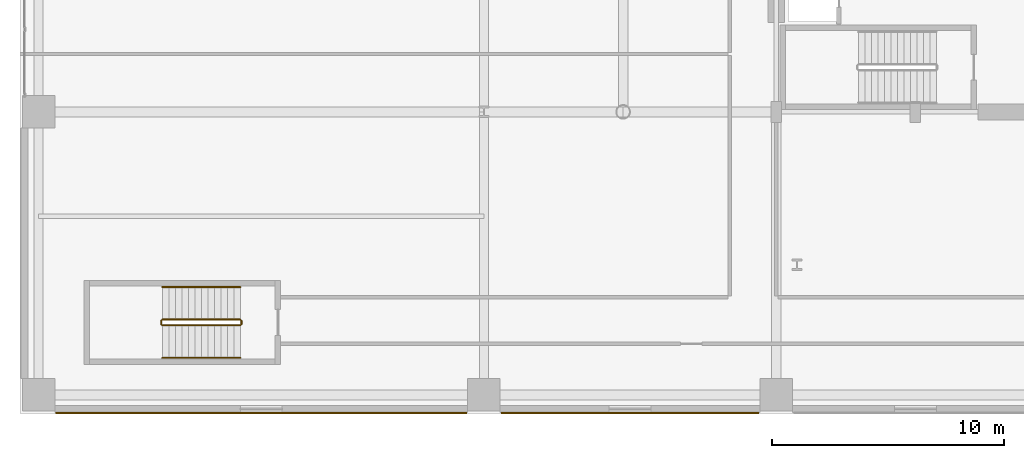
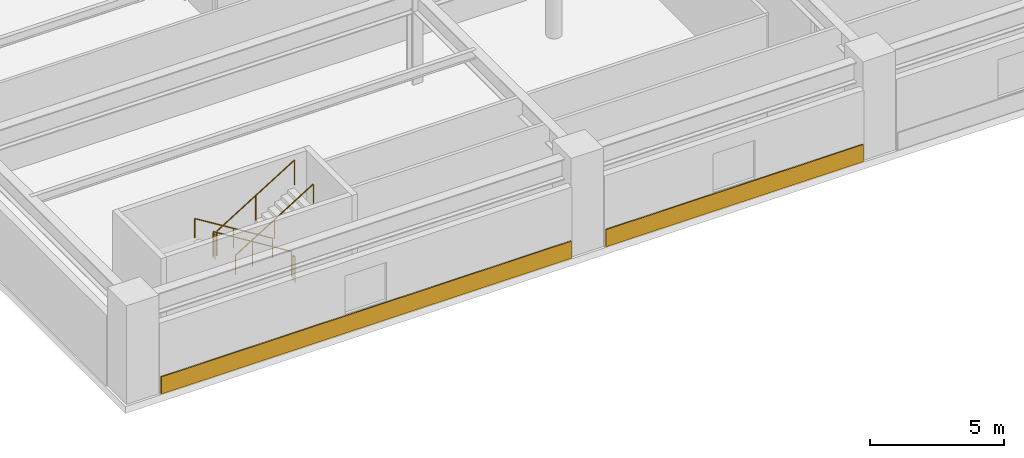
# One storey, part 24 of 28: 6 railings, 2 coverings.
"""IFC4 building model written with IfcOpenShell, lengths in metres."""

from ifc_helpers import new_model, si_unit, direction, frame, origin, origin_2d, place, context, subcontext, project, spatial, rectangle, circle, extrude, material, layer, layer_set, type_object, element, save


model = new_model("IFC4")

# Units and contexts
model_context = context("Model", 3, precision=1e-05, world=origin(), true_north=direction((0.0, 1.0)))
body_context = subcontext(model_context, "Body", "Model", "MODEL_VIEW")
ifc_project = project(units=[si_unit("LENGTHUNIT", "METRE"), si_unit("AREAUNIT", "SQUARE_METRE"), si_unit("VOLUMEUNIT", "CUBIC_METRE"), si_unit("PLANEANGLEUNIT", "RADIAN"), si_unit("MASSUNIT", "GRAM", prefix="KILO")], contexts=[model_context])

# Site, building, storey
site_placement = place(None, origin())
site = spatial("IfcSite", under=ifc_project, at=site_placement, CompositionType="ELEMENT")
building_placement = place(site_placement, origin())
building = spatial("IfcBuilding", under=site, at=building_placement, Name="Soratama Intermodal Tower", CompositionType="ELEMENT")
storey_placement = place(building_placement, frame((0.0, 0.0, 20.699951171875)))
storey = spatial("IfcBuildingStorey", under=building, at=storey_placement, Name="L04", CompositionType="ELEMENT", Elevation=20.699951171875)

# Coverings
ifc_material_1 = material(Name="Honed Andean limestone cladding", Category="masonry")
ifc_layer = layer(ifc_material_1, 0.06005859375)
ifc_layer_set = layer_set([ifc_layer], Name="Honed Andean limestone cladding")
covering_type = type_object("IfcCoveringType", Name="CV-STONE-CLAD", PredefinedType="CLADDING", material=ifc_layer_set)
covering_1_placement = place(storey_placement, frame((10.39990234375, 2.02392578125, 0.0302734375), z_axis=(0.0, 0.0, 1.0), x_axis=(1.0, 0.0, 0.0)))
element("IfcCovering", 1, at=covering_1_placement, inside=storey, type_object=covering_type, Name="L04 S Cladding B1", PredefinedType="CLADDING", context=body_context, shape_type="SweptSolid", body=[
    extrude(rectangle(XDim=17.699951171875, YDim=0.06005859375, at=origin_2d()), origin(), (0.0, 0.0, 1.0), 0.780029296875),
])
covering_2_placement = place(storey_placement, frame((26.300048828125, 2.02392578125, 0.0302734375), z_axis=(0.0, 0.0, 1.0), x_axis=(1.0, 0.0, 0.0)))
element("IfcCovering", 2, at=covering_2_placement, inside=storey, type_object=covering_type, Name="L04 S Cladding B2", PredefinedType="CLADDING", context=body_context, shape_type="SweptSolid", body=[
    extrude(rectangle(XDim=11.10009765625, YDim=0.06005859375, at=origin_2d()), origin(), (0.0, 0.0, 1.0), 0.780029296875),
])

# Railings
ifc_material_2 = material(Name="Painted steel stair guardrail", Category="steel")
railing_type_1 = type_object("IfcRailingType", Name="RL-STAIR-GUARD", PredefinedType="GUARDRAIL", material=ifc_material_2)
railing_1_placement = place(storey_placement, frame((9.5, 6.050048828125, 0.173095703125)))
element("IfcRailing", 3, at=railing_1_placement, inside=storey, type_object=railing_type_1, Name="L04 ST-3 stair guard 1", PredefinedType="GUARDRAIL", context=body_context, shape_type="SweptSolid", body=[
    extrude(circle(Radius=0.02392578125, at=origin_2d()), frame((0.0, 0.0, 1.1259765625), z_axis=(-0.850623216509, 0.0, 0.525775754039), x_axis=(0.0, -1.0, 0.0)), (0.0, 0.0, 1.0), 3.9501953125),
    extrude(circle(Radius=0.02099609375, at=origin_2d()), origin(), (0.0, 0.0, 1.0), 1.101806640625),
    extrude(circle(Radius=0.02099609375, at=origin_2d()), frame((-1.68017578125, 0.0, 1.03857421875)), (0.0, 0.0, 1.0), 1.101806640625),
    extrude(circle(Radius=0.02099609375, at=origin_2d()), frame((-3.360107421875, 0.0, 2.076904296875)), (0.0, 0.0, 1.0), 1.101806640625),
])
railing_2_placement = place(storey_placement, frame((6.090087890625, 6.0, 2.25)))
element("IfcRailing", 4, at=railing_2_placement, inside=storey, type_object=railing_type_1, Name="L04 ST-3 stair guard 2", PredefinedType="GUARDRAIL", context=body_context, shape_type="SweptSolid", body=[
    extrude(circle(Radius=0.02392578125, at=origin_2d()), frame((0.0, 0.0, 1.1259765625), z_axis=(0.0, -1.0, 0.0), x_axis=(1.0, 0.0, 0.0)), (0.0, 0.0, 1.0), 0.14990234375),
    extrude(circle(Radius=0.02099609375, at=origin_2d()), origin(), (0.0, 0.0, 1.0), 1.101806640625),
    extrude(circle(Radius=0.02099609375, at=origin_2d()), frame((0.0, -0.14990234375, 0.0)), (0.0, 0.0, 1.0), 1.101806640625),
])
railing_3_placement = place(storey_placement, frame((6.139892578125, 5.800048828125, 2.423095703125)))
element("IfcRailing", 5, at=railing_3_placement, inside=storey, type_object=railing_type_1, Name="L04 ST-3 stair guard 3", PredefinedType="GUARDRAIL", context=body_context, shape_type="SweptSolid", body=[
    extrude(circle(Radius=0.02392578125, at=origin_2d()), frame((0.0, 0.0, 1.1259765625), z_axis=(0.850623216509, 0.0, 0.525775754039), x_axis=(0.0, 1.0, 0.0)), (0.0, 0.0, 1.0), 3.9501953125),
    extrude(circle(Radius=0.02099609375, at=origin_2d()), origin(), (0.0, 0.0, 1.0), 1.101806640625),
    extrude(circle(Radius=0.02099609375, at=origin_2d()), frame((1.68017578125, 0.0, 1.03857421875)), (0.0, 0.0, 1.0), 1.101806640625),
    extrude(circle(Radius=0.02099609375, at=origin_2d()), frame((3.360107421875, 0.0, 2.076904296875)), (0.0, 0.0, 1.0), 1.101806640625),
])
railing_4_placement = place(storey_placement, frame((9.550048828125, 6.0, 0.0)))
element("IfcRailing", 6, at=railing_4_placement, inside=storey, type_object=railing_type_1, Name="L04 ST-3 stair guard 4", PredefinedType="GUARDRAIL", context=body_context, shape_type="SweptSolid", body=[
    extrude(circle(Radius=0.02392578125, at=origin_2d()), frame((0.0, 0.0, 1.1259765625), z_axis=(0.0, -1.0, 0.0), x_axis=(1.0, 0.0, 0.0)), (0.0, 0.0, 1.0), 0.14990234375),
    extrude(circle(Radius=0.02099609375, at=origin_2d()), origin(), (0.0, 0.0, 1.0), 1.101806640625),
    extrude(circle(Radius=0.02099609375, at=origin_2d()), frame((0.0, -0.14990234375, 0.0)), (0.0, 0.0, 1.0), 1.101806640625),
])
ifc_material_3 = material(Name="Brushed stainless steel handrail", Category="steel")
railing_type_2 = type_object("IfcRailingType", Name="RL-STAIR-HAND", PredefinedType="HANDRAIL", material=ifc_material_3)
railing_5_placement = place(storey_placement, frame((9.5, 7.449951171875, 0.173095703125)))
element("IfcRailing", 7, at=railing_5_placement, inside=storey, type_object=railing_type_2, Name="L04 ST-3 stair handrail 1", PredefinedType="HANDRAIL", context=body_context, shape_type="SweptSolid", body=[
    extrude(circle(Radius=0.02392578125, at=origin_2d()), frame((0.0, 0.0, 0.8759765625), z_axis=(-0.850623216509, 0.0, 0.525775754039), x_axis=(0.0, -1.0, 0.0)), (0.0, 0.0, 1.0), 3.9501953125),
    extrude(circle(Radius=0.02099609375, at=origin_2d()), origin(), (0.0, 0.0, 1.0), 0.851806640625),
    extrude(circle(Radius=0.02099609375, at=origin_2d()), frame((-1.68017578125, 0.0, 1.03857421875)), (0.0, 0.0, 1.0), 0.851806640625),
    extrude(circle(Radius=0.02099609375, at=origin_2d()), frame((-3.360107421875, 0.0, 2.076904296875)), (0.0, 0.0, 1.0), 0.851806640625),
])
railing_6_placement = place(storey_placement, frame((6.139892578125, 4.39990234375, 2.423095703125)))
element("IfcRailing", 8, at=railing_6_placement, inside=storey, type_object=railing_type_2, Name="L04 ST-3 stair handrail 2", PredefinedType="HANDRAIL", context=body_context, shape_type="SweptSolid", body=[
    extrude(circle(Radius=0.02392578125, at=origin_2d()), frame((0.0, 0.0, 0.8759765625), z_axis=(0.850623216509, 0.0, 0.525775754039), x_axis=(0.0, 1.0, 0.0)), (0.0, 0.0, 1.0), 3.9501953125),
    extrude(circle(Radius=0.02099609375, at=origin_2d()), origin(), (0.0, 0.0, 1.0), 0.851806640625),
    extrude(circle(Radius=0.02099609375, at=origin_2d()), frame((1.68017578125, 0.0, 1.03857421875)), (0.0, 0.0, 1.0), 0.851806640625),
    extrude(circle(Radius=0.02099609375, at=origin_2d()), frame((3.360107421875, 0.0, 2.076904296875)), (0.0, 0.0, 1.0), 0.851806640625),
])

save(model, "model.ifc")
